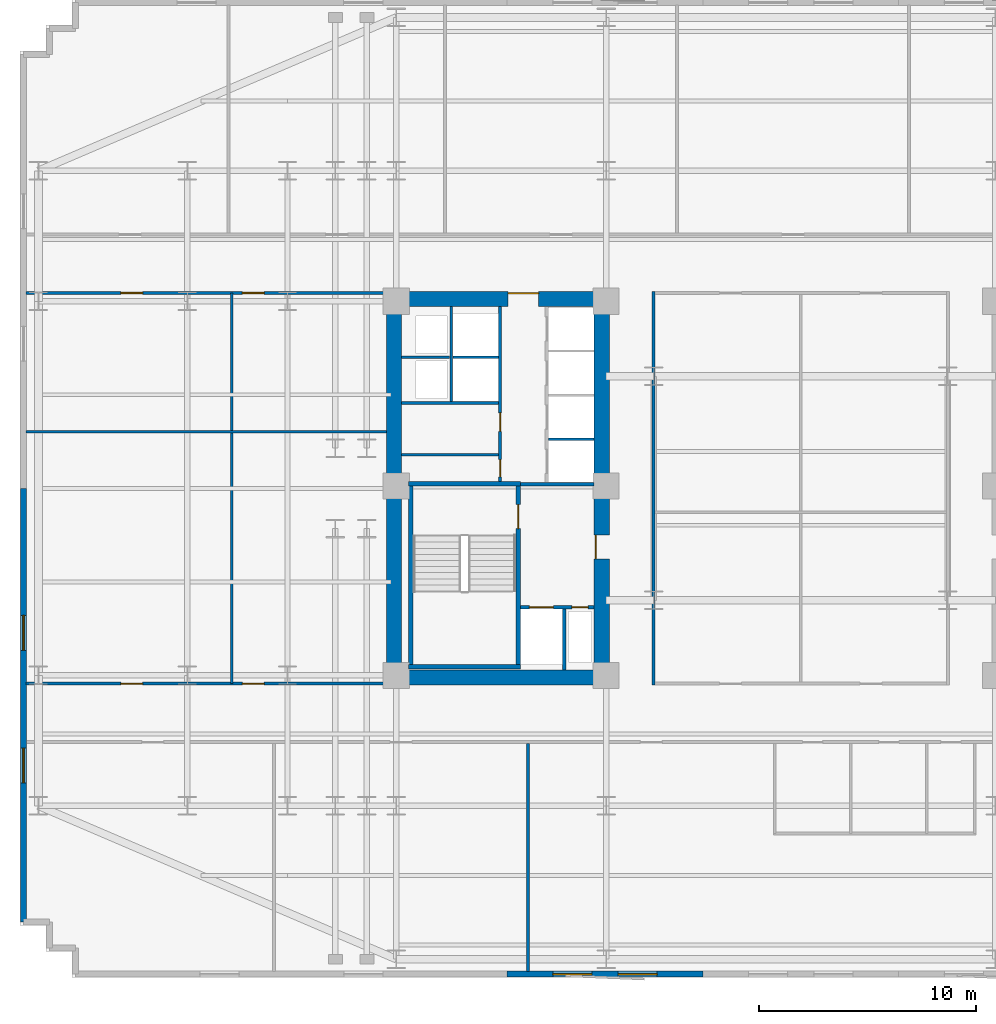
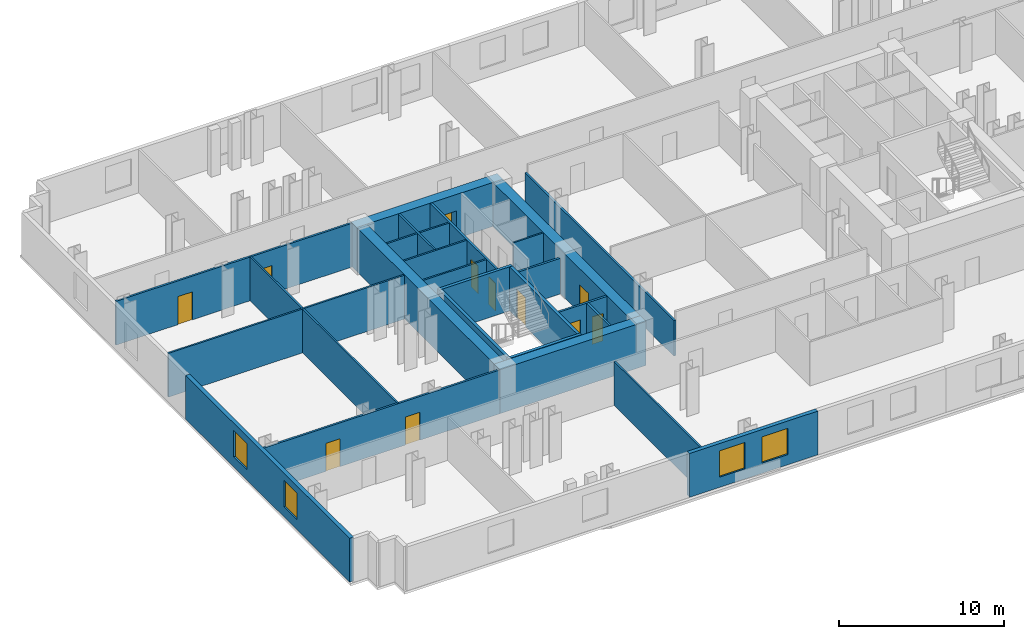
# One storey, part 4 of 10: 26 walls, 11 doors, 4 windows, 15 openings.
"""IFC4 building model written with IfcOpenShell, lengths in metres."""

import ifcopenshell
import ifcopenshell.guid

model = None  # the IFC model being written
_history = None  # IfcOwnerHistory: only IFC2X3 demands one
_inside = {}  # id of a spatial element -> (the spatial element, [elements in it])
_under = {}  # id of a project, library or spatial element -> (it, [spatial elements below it])
_declared = {}  # id of a project -> (the project, [libraries it declares])
_typed = {}  # id of a type object -> (the type object, [elements of that type])
_made_of = {}  # id of a material, layer set ... -> (it, [elements and type objects made of it])


def new_model(schema):
    """Start an empty IFC model of exactly this schema.

    Asked for "IFC4X3", IfcOpenShell would pick the latest addendum, in which some entities
    have other attributes; the version numbers below select the first issue.
    IFC2X3 requires an IfcOwnerHistory on every rooted entity: one is made here for all.
    """
    global model, _history
    if schema == "IFC4X3":
        model = ifcopenshell.file(schema_version=(4, 3, 0, 0))
    else:
        model = ifcopenshell.file(schema=schema)
    _inside.clear()
    _under.clear()
    _declared.clear()
    _typed.clear()
    _made_of.clear()
    _history = None
    if model.schema == "IFC2X3":
        org = make("IfcOrganization", Name="unknown")
        user = make(
            "IfcPersonAndOrganization",
            ThePerson=make("IfcPerson", FamilyName="unknown"),
            TheOrganization=org,
        )
        app = make(
            "IfcApplication",
            ApplicationDeveloper=org,
            Version="unknown",
            ApplicationFullName="unknown",
            ApplicationIdentifier="unknown",
        )
        _history = make(
            "IfcOwnerHistory",
            OwningUser=user,
            OwningApplication=app,
            ChangeAction="ADDED",
            CreationDate=0,
        )
    return model


def make(cls, **values):
    """One entity of the class cls with the attributes given. An attribute that is None is left unset."""
    return model.create_entity(
        cls, **{name: value for name, value in values.items() if value is not None}
    )


def rooted(cls, **values):
    """An entity with a GlobalId (a new one), such as an element, a storey or a relation."""
    return make(cls, GlobalId=ifcopenshell.guid.new(), OwnerHistory=_history, **values)


def si_unit(unit_type, name, prefix=None):
    """IfcSIUnit, for example si_unit("LENGTHUNIT", "METRE", prefix="MILLI")."""
    return make("IfcSIUnit", UnitType=unit_type, Prefix=prefix, Name=name)


def assignment(units):
    """IfcUnitAssignment: the units of a project."""
    return None if units is None else make("IfcUnitAssignment", Units=units)


def point(xyz):
    """IfcCartesianPoint."""
    return None if xyz is None else make("IfcCartesianPoint", Coordinates=xyz)


def direction(xyz):
    """IfcDirection."""
    return None if xyz is None else make("IfcDirection", DirectionRatios=xyz)


def frame(location, z_axis=None, x_axis=None):
    """IfcAxis2Placement3D, a coordinate frame: its origin and axes. An axis left out is left unset."""
    return make(
        "IfcAxis2Placement3D",
        Location=point(location),
        Axis=direction(z_axis),
        RefDirection=direction(x_axis),
    )


def frame_2d(location, x_axis=None):
    """IfcAxis2Placement2D, a coordinate frame in the plane: its origin and x axis."""
    return make(
        "IfcAxis2Placement2D", Location=point(location), RefDirection=direction(x_axis)
    )


def origin():
    """The frame at (0, 0, 0) with its axes left unset."""
    return frame((0.0, 0.0, 0.0))


def place(relative_to, where):
    """IfcLocalPlacement: puts the frame where relative to a parent placement (None: the world)."""
    return make(
        "IfcLocalPlacement", PlacementRelTo=relative_to, RelativePlacement=where
    )


def context(
    kind, dimensions, precision=None, world=None, true_north=None, identifier=None
):
    """IfcGeometricRepresentationContext, for example the 3D "Model" context."""
    return make(
        "IfcGeometricRepresentationContext",
        ContextIdentifier=identifier,
        ContextType=kind,
        CoordinateSpaceDimension=dimensions,
        Precision=precision,
        WorldCoordinateSystem=world,
        TrueNorth=true_north,
    )


def subcontext(parent, identifier, kind, view, scale=None):
    """IfcGeometricRepresentationSubContext, for example "Body" below "Model"."""
    return make(
        "IfcGeometricRepresentationSubContext",
        ContextIdentifier=identifier,
        ContextType=kind,
        ParentContext=parent,
        TargetScale=scale,
        TargetView=view,
    )


def project(units=None, contexts=None):
    """IfcProject with its units and contexts."""
    return rooted(
        "IfcProject",
        Name="project",
        RepresentationContexts=contexts,
        UnitsInContext=assignment(units),
    )


def spatial(cls, under=None, at=None, **own):
    """A site, building, storey or space (cls), placed at a placement, below another one or the project."""
    s = rooted(cls, ObjectPlacement=at, **own)
    if under is not None:
        _under.setdefault(under.id(), (under, []))[1].append(s)
    return s


def profile(cls, at=None, kind="AREA", **sizes):
    """A parametric profile (cls). Its sizes go by their IFC names, for example OverallWidth=200.0."""
    return make(cls, ProfileType=kind, Position=at, **sizes)


def rectangle(**sizes):
    """IfcRectangleProfileDef."""
    return profile("IfcRectangleProfileDef", **sizes)


def extrude(swept, where, along, depth):
    """IfcExtrudedAreaSolid: the profile swept, set in the frame where, extruded along a direction by depth."""
    return make(
        "IfcExtrudedAreaSolid",
        SweptArea=swept,
        Position=where,
        ExtrudedDirection=direction(along),
        Depth=depth,
    )


def shape(context_of_items, identifier, shape_type, items):
    """IfcShapeRepresentation: the items that make up one representation, for example the "Body"."""
    return make(
        "IfcShapeRepresentation",
        ContextOfItems=context_of_items,
        RepresentationIdentifier=identifier,
        RepresentationType=shape_type,
        Items=items,
    )


def material(Name=None, Category=None):
    """IfcMaterial."""
    return make("IfcMaterial", Name=Name, Category=Category)


def layer(
    of_material, thickness, ventilated=None, Name=None, Category=None, Priority=None
):
    """IfcMaterialLayer: one layer of a wall or slab, of a material (None: an air gap)."""
    return make(
        "IfcMaterialLayer",
        Material=of_material,
        LayerThickness=thickness,
        IsVentilated=ventilated,
        Name=Name,
        Category=Category,
        Priority=Priority,
    )


def layer_set(layers, Name=None):
    """IfcMaterialLayerSet."""
    return make("IfcMaterialLayerSet", MaterialLayers=layers, LayerSetName=Name)


def made_of(thing, what):
    """Note that an element or type object is made of a material, layer set ...; save() writes the relation."""
    if what is not None:
        _made_of.setdefault(what.id(), (what, []))[1].append(thing)
    return thing


def type_object(cls, material=None, **own):
    """A type object (cls), such as IfcWallType, which elements share."""
    return made_of(rooted(cls, **own), material)


def element(
    cls,
    number,
    at=None,
    inside=None,
    cuts=None,
    type_object=None,
    material=None,
    context=None,
    identifier="Body",
    shape_type=None,
    held_by="IfcProductDefinitionShape",
    body=None,
    shapes=None,
    **own,
):
    """One element of the class cls, such as IfcWall. Its Tag is "e" and its number.

    at: its placement. inside: the storey or other place that contains it. cuts: it is an
    opening in that element (IfcRelVoidsElement). A single representation is given by context,
    identifier, shape_type and body (its items); several are given by shapes. held_by: the class
    of the entity that holds the representations. save() writes the other relations.
    """
    e = rooted(cls, Tag="e%d" % number, ObjectPlacement=at, **own)
    if body is not None:
        shapes = [shape(context, identifier, shape_type, body)]
    if shapes is not None:
        e.Representation = make(held_by, Representations=shapes)
    if inside is not None:
        _inside.setdefault(inside.id(), (inside, []))[1].append(e)
    if cuts is not None:
        rooted(
            "IfcRelVoidsElement", RelatingBuildingElement=cuts, RelatedOpeningElement=e
        )
    if type_object is not None:
        _typed.setdefault(type_object.id(), (type_object, []))[1].append(e)
    return made_of(e, material)


def fill(opening, filler):
    """IfcRelFillsElement: the door or window that sits in an opening."""
    return rooted(
        "IfcRelFillsElement",
        RelatingOpeningElement=opening,
        RelatedBuildingElement=filler,
    )


def aggregate(whole, parts):
    """IfcRelAggregates: a whole, such as a stair, and the parts it consists of."""
    return rooted("IfcRelAggregates", RelatingObject=whole, RelatedObjects=parts)


def save(model, path):
    """Write the relations noted so far, then the file.

    IfcRelAggregates (storeys below a building ...), IfcRelContainedInSpatialStructure (elements
    in a storey), IfcRelDefinesByType, IfcRelAssociatesMaterial and IfcRelDeclares: one each for
    every whole, place, type object, material and project.
    """
    for whole, parts in _under.values():
        aggregate(whole, parts)
    for where, things in _inside.values():
        rooted(
            "IfcRelContainedInSpatialStructure",
            RelatedElements=things,
            RelatingStructure=where,
        )
    for kind, things in _typed.values():
        rooted("IfcRelDefinesByType", RelatedObjects=things, RelatingType=kind)
    for what, things in _made_of.values():
        rooted("IfcRelAssociatesMaterial", RelatedObjects=things, RelatingMaterial=what)
    for by, libraries in _declared.values():
        rooted("IfcRelDeclares", RelatingContext=by, RelatedDefinitions=libraries)
    model.write(path)


model = new_model("IFC4")

# Units and contexts
model_context = context("Model", 3, precision=1e-05, world=origin(), true_north=direction((0.0, 1.0)))
body_context = subcontext(model_context, "Body", "Model", "MODEL_VIEW")
ifc_project = project(units=[si_unit("LENGTHUNIT", "METRE"), si_unit("AREAUNIT", "SQUARE_METRE"), si_unit("VOLUMEUNIT", "CUBIC_METRE"), si_unit("PLANEANGLEUNIT", "RADIAN"), si_unit("MASSUNIT", "GRAM", prefix="KILO")], contexts=[model_context])

# Site, building, storey
site_placement = place(None, origin())
site = spatial("IfcSite", under=ifc_project, at=site_placement, CompositionType="ELEMENT")
building_placement = place(site_placement, origin())
building = spatial("IfcBuilding", under=site, at=building_placement, Name="Velakula Bourse", CompositionType="ELEMENT")
storey_placement = place(building_placement, frame((0.0, 0.0, 58.800048828125)))
storey = spatial("IfcBuildingStorey", under=building, at=storey_placement, Name="L15", CompositionType="ELEMENT", Elevation=58.800048828125)

# Wall, opening, door
ifc_material_1 = material(Name="Concrete M50 (fck 50 MPa)", Category="concrete")
ifc_layer_1 = layer(ifc_material_1, 0.2099609375, Name="Concrete M50 (fck 50 MPa)", Category="concrete")
ifc_layer_set_1 = layer_set([ifc_layer_1], Name="Concrete M50 (fck 50 MPa)")
wall_type_1 = type_object("IfcWallType", Name="WL-CORE-210", PredefinedType="SHEAR", material=ifc_layer_set_1)
wall_1_placement = place(storey_placement, frame((-12.9951171875, -8.10009765625, 0.0), z_axis=(0.0, 0.0, 1.0), x_axis=(0.0, 1.0, 0.0)))
wall_1 = element("IfcWall", 1, at=wall_1_placement, inside=storey, type_object=wall_type_1, Name="L15 Core W Stairwell Shear Wall IN", PredefinedType="SHEAR", context=body_context, shape_type="SweptSolid", body=[
    extrude(rectangle(XDim=8.2001953125, YDim=0.2099609375, at=frame_2d((4.10009765625, 0.0))), origin(), (0.0, 0.0, 1.0), 3.27001953125),
])
opening_1_placement = place(wall_1_placement, frame((6.25, 0.0, 0.0)))
opening_1 = element("IfcOpeningElement", 2, at=opening_1_placement, cuts=wall_1, Name="Opening D-STW1", PredefinedType="OPENING", context=body_context, shape_type="SweptSolid", body=[
    extrude(rectangle(XDim=1.10009765625, YDim=2.14990234375, at=frame_2d((0.550048828125, 1.074951171875))), frame((0.0, 0.114990234375, 0.0), z_axis=(0.0, -1.0, 0.0), x_axis=(1.0, 0.0, 0.0)), (0.0, 0.0, 1.0), 0.22998046875),
])
ifc_material_2 = material(Name="Galvanised painted hollow steel fire door", Category="steel")
door_type_1 = type_object("IfcDoorType", Name="DR-FD120-1100x2150", OperationType="NOTDEFINED", PredefinedType="DOOR", material=ifc_material_2)
door_1_placement = place(opening_1_placement, origin())
door_1 = element("IfcDoor", 3, at=door_1_placement, inside=storey, type_object=door_type_1, Name="L15 Stair ST-W1 Fire Door", OperationType="SINGLE_SWING_LEFT", OverallHeight=2.14990234375, OverallWidth=1.10009765625, PredefinedType="DOOR", context=body_context, shape_type="SweptSolid", body=[
    extrude(rectangle(XDim=1.10009765625, YDim=2.14990234375, at=frame_2d((0.550048828125, 1.074951171875))), frame((0.0, 0.02490234375, 0.0), z_axis=(0.0, -1.0, 0.0), x_axis=(1.0, 0.0, 0.0)), (0.0, 0.0, 1.0), 0.050048828125),
])
fill(opening_1, door_1)

# Walls
wall_2_placement = place(storey_placement, frame((-17.925048828125, -8.10009765625, 0.0), z_axis=(0.0, 0.0, 1.0), x_axis=(0.0, 1.0, 0.0)))
element("IfcWall", 4, at=wall_2_placement, inside=storey, type_object=wall_type_1, Name="L15 Core W Stairwell Shear Wall OUT", PredefinedType="SHEAR", context=body_context, shape_type="SweptSolid", body=[
    extrude(rectangle(XDim=8.2001953125, YDim=0.2099609375, at=frame_2d((4.10009765625, 0.0))), origin(), (0.0, 0.0, 1.0), 3.27001953125),
])
for number, where, z_axis, x_axis, name in (
    (5, (-18.030029296875, -8.205078125, 0.0), (0.0, 0.0, 1.0), (1.0, 0.0, 0.0), "L15 Core W Stairwell Shear Wall S"),
    (6, (-12.889892578125, 0.205078125, 0.0), (0.0, 0.0, 1.0), (-1.0, 0.0, 0.0), "L15 Core W Stairwell Shear Wall N"),
):
    element("IfcWall", number, at=place(storey_placement, frame(where, z_axis=z_axis, x_axis=x_axis)), inside=storey, type_object=wall_type_1, Name=name, PredefinedType="SHEAR", context=body_context, shape_type="SweptSolid", body=[
        extrude(rectangle(XDim=5.14013671875, YDim=0.2099609375, at=frame_2d((2.570068359375, 0.0))), origin(), (0.0, 0.0, 1.0), 3.27001953125),
    ])
ifc_material_3 = material(Name="Concrete M70 (fck 70 MPa)", Category="concrete")
ifc_layer_2 = layer(ifc_material_3, 0.699951171875, Name="Concrete M70 (fck 70 MPa)", Category="concrete")
ifc_layer_set_2 = layer_set([ifc_layer_2], Name="Concrete M70 (fck 70 MPa)")
wall_type_2 = type_object("IfcWallType", Name="WL-CORE-700", PredefinedType="SHEAR", material=ifc_layer_set_2)
wall_3_placement = place(storey_placement, frame((-19.050048828125, -8.699951171875, 0.0), z_axis=(0.0, 0.0, 1.0), x_axis=(1.0, 0.0, 0.0)))
element("IfcWall", 7, at=wall_3_placement, inside=storey, type_object=wall_type_2, Name="L15 Core W Shear Wall S", PredefinedType="SHEAR", context=body_context, shape_type="SweptSolid", body=[
    extrude(rectangle(XDim=10.25, YDim=0.699951171875, at=frame_2d((5.125, 0.0))), origin(), (0.0, 0.0, 1.0), 3.27001953125),
])

# Wall, opening, door
wall_4_placement = place(storey_placement, frame((-19.050048828125, 8.699951171875, 0.0), z_axis=(0.0, 0.0, 1.0), x_axis=(1.0, 0.0, 0.0)))
wall_4 = element("IfcWall", 8, at=wall_4_placement, inside=storey, type_object=wall_type_2, Name="L15 Core W Shear Wall N", PredefinedType="SHEAR", context=body_context, shape_type="SweptSolid", body=[
    extrude(rectangle(XDim=10.25, YDim=0.699951171875, at=frame_2d((5.125, 0.0))), origin(), (0.0, 0.0, 1.0), 3.27001953125),
])
opening_2_placement = place(wall_4_placement, frame((5.60009765625, 0.0, 0.0)))
opening_2 = element("IfcOpeningElement", 9, at=opening_2_placement, cuts=wall_4, Name="Opening D-LLW", PredefinedType="OPENING", context=body_context, shape_type="SweptSolid", body=[
    extrude(rectangle(XDim=1.39990234375, YDim=2.050048828125, at=frame_2d((0.699951171875, 1.02490234375))), frame((0.0, 0.35986328125, 0.0), z_axis=(0.0, -1.0, 0.0), x_axis=(1.0, 0.0, 0.0)), (0.0, 0.0, 1.0), 0.719970703125),
])
ifc_material_4 = material(Name="Fire-rated hardwood flush architectural door", Category="wood")
door_type_2 = type_object("IfcDoorType", Name="DR-DBL-FD60-1400", OperationType="DOUBLE_DOOR_SINGLE_SWING", PredefinedType="DOOR", material=ifc_material_4)
door_2_placement = place(opening_2_placement, origin())
door_2 = element("IfcDoor", 10, at=door_2_placement, inside=storey, type_object=door_type_2, Name="L15 Core W Lift Lobby Corridor Double Door", OperationType="DOUBLE_DOOR_SINGLE_SWING", OverallHeight=2.050048828125, OverallWidth=1.39990234375, PredefinedType="DOOR", context=body_context, shape_type="SweptSolid", body=[
    extrude(rectangle(XDim=1.39990234375, YDim=2.050048828125, at=frame_2d((0.699951171875, 1.02490234375))), frame((0.0, 0.294921875, 0.0), z_axis=(0.0, -1.0, 0.0), x_axis=(1.0, 0.0, 0.0)), (0.0, 0.0, 1.0), 0.050048828125),
])
fill(opening_2, door_2)

# Wall
wall_5_placement = place(storey_placement, frame((-18.699951171875, -8.35009765625, 0.0), z_axis=(0.0, 0.0, 1.0), x_axis=(0.0, 1.0, 0.0)))
element("IfcWall", 11, at=wall_5_placement, inside=storey, type_object=wall_type_2, Name="L15 Core W Shear Wall W", PredefinedType="SHEAR", context=body_context, shape_type="SweptSolid", body=[
    extrude(rectangle(XDim=16.7001953125, YDim=0.699951171875, at=frame_2d((8.35009765625, 0.0))), origin(), (0.0, 0.0, 1.0), 3.27001953125),
])

# Wall, opening, door
wall_6_placement = place(storey_placement, frame((-9.14990234375, -8.35009765625, 0.0), z_axis=(0.0, 0.0, 1.0), x_axis=(0.0, 1.0, 0.0)))
wall_6 = element("IfcWall", 12, at=wall_6_placement, inside=storey, type_object=wall_type_2, Name="L15 Core W Shear Wall E", PredefinedType="SHEAR", context=body_context, shape_type="SweptSolid", body=[
    extrude(rectangle(XDim=16.7001953125, YDim=0.699951171875, at=frame_2d((8.35009765625, 0.0))), origin(), (0.0, 0.0, 1.0), 3.27001953125),
])
opening_3_placement = place(wall_6_placement, frame((5.10009765625, 0.0, 0.0)))
opening_3 = element("IfcOpeningElement", 13, at=opening_3_placement, cuts=wall_6, Name="Opening D-FLW", PredefinedType="OPENING", context=body_context, shape_type="SweptSolid", body=[
    extrude(rectangle(XDim=1.10009765625, YDim=2.080078125, at=frame_2d((0.550048828125, 1.0400390625))), frame((0.0, 0.35986328125, 0.0), z_axis=(0.0, -1.0, 0.0), x_axis=(1.0, 0.0, 0.0)), (0.0, 0.0, 1.0), 0.719970703125),
])
door_type_3 = type_object("IfcDoorType", Name="DR-FD120-1100", OperationType="NOTDEFINED", PredefinedType="DOOR", material=ifc_material_2)
door_3_placement = place(opening_3_placement, origin())
door_3 = element("IfcDoor", 14, at=door_3_placement, inside=storey, type_object=door_type_3, Name="L15 Firefighting Lobby W Corridor Fire Door", OperationType="SINGLE_SWING_LEFT", OverallHeight=2.080078125, OverallWidth=1.10009765625, PredefinedType="DOOR", context=body_context, shape_type="SweptSolid", body=[
    extrude(rectangle(XDim=1.10009765625, YDim=2.080078125, at=frame_2d((0.550048828125, 1.0400390625))), frame((0.0, 0.30517578125, 0.0), z_axis=(0.0, -1.0, 0.0), x_axis=(1.0, 0.0, 0.0)), (0.0, 0.0, 1.0), 0.050048828125),
])
fill(opening_3, door_3)

# Wall, openings, windows
ifc_material_5 = material(Name="Red kilned clay facing brick masonry", Category="masonry")
ifc_layer_3 = layer(ifc_material_5, 0.280029296875, Name="Red kilned clay facing brick masonry", Category="masonry")
ifc_layer_set_3 = layer_set([ifc_layer_3], Name="Red kilned clay facing brick masonry")
wall_type_3 = type_object("IfcWallType", Name="WL-EXT-BRK-280", PredefinedType="STANDARD", material=ifc_layer_set_3)
wall_7_placement = place(storey_placement, frame((-4.5, -22.340087890625, 0.0), z_axis=(0.0, 0.0, 1.0), x_axis=(-1.0, 0.0, 0.0)))
wall_7 = element("IfcWall", 15, at=wall_7_placement, inside=storey, type_object=wall_type_3, Name="L15 S Brick Spandrel Wall B2", PredefinedType="STANDARD", context=body_context, shape_type="SweptSolid", body=[
    extrude(rectangle(XDim=9.0, YDim=0.280029296875, at=frame_2d((4.5, 0.0))), origin(), (0.0, 0.0, 1.0), 3.25),
])
opening_4_placement = place(wall_7_placement, frame((2.10009765625, 0.0, 0.760009765625)))
opening_4 = element("IfcOpeningElement", 16, at=opening_4_placement, cuts=wall_7, Name="Opening W-01", PredefinedType="OPENING", context=body_context, shape_type="SweptSolid", body=[
    extrude(rectangle(XDim=1.800048828125, YDim=1.949951171875, at=frame_2d((0.89990234375, 0.97509765625))), frame((0.0, 0.14990234375, 0.0), z_axis=(0.0, -1.0, 0.0), x_axis=(1.0, 0.0, 0.0)), (0.0, 0.0, 1.0), 0.300048828125),
])
opening_5_placement = place(wall_7_placement, frame((5.10009765625, 0.0, 0.760009765625)))
opening_5 = element("IfcOpeningElement", 17, at=opening_5_placement, cuts=wall_7, Name="Opening W-01", PredefinedType="OPENING", context=body_context, shape_type="SweptSolid", body=[
    extrude(rectangle(XDim=1.800048828125, YDim=1.949951171875, at=frame_2d((0.89990234375, 0.97509765625))), frame((0.0, 0.14990234375, 0.0), z_axis=(0.0, -1.0, 0.0), x_axis=(1.0, 0.0, 0.0)), (0.0, 0.0, 1.0), 0.300048828125),
])
ifc_material_6 = material(Name="Double-glazed solar-control Low-E glass", Category="glass")
window_type_1 = type_object("IfcWindowType", Name="WIN-TWR-1800x2100", PartitioningType="SINGLE_PANEL", PredefinedType="WINDOW", material=ifc_material_6)
window_1_placement = place(opening_4_placement, origin())
window_1 = element("IfcWindow", 18, at=window_1_placement, inside=storey, type_object=window_type_1, Name="L15 Deep-Set Recessed Window 1", OverallHeight=1.949951171875, OverallWidth=1.800048828125, PartitioningType="SINGLE_PANEL", PredefinedType="WINDOW", context=body_context, shape_type="SweptSolid", body=[
    extrude(rectangle(XDim=1.800048828125, YDim=1.949951171875, at=frame_2d((0.89990234375, 0.97509765625))), frame((0.0, 0.030029296875, 0.0), z_axis=(0.0, -1.0, 0.0), x_axis=(1.0, 0.0, 0.0)), (0.0, 0.0, 1.0), 0.06005859375),
])
fill(opening_4, window_1)
window_2_placement = place(opening_5_placement, origin())
window_2 = element("IfcWindow", 19, at=window_2_placement, inside=storey, type_object=window_type_1, Name="L15 Deep-Set Recessed Window 2", OverallHeight=1.949951171875, OverallWidth=1.800048828125, PartitioningType="SINGLE_PANEL", PredefinedType="WINDOW", context=body_context, shape_type="SweptSolid", body=[
    extrude(rectangle(XDim=1.800048828125, YDim=1.949951171875, at=frame_2d((0.89990234375, 0.97509765625))), frame((0.0, 0.030029296875, 0.0), z_axis=(0.0, -1.0, 0.0), x_axis=(1.0, 0.0, 0.0)), (0.0, 0.0, 1.0), 0.06005859375),
])
fill(opening_5, window_2)

wall_8_placement = place(storey_placement, frame((-35.739990234375, -19.93994140625, 0.0), z_axis=(0.0, 0.0, 1.0), x_axis=(0.0, 1.0, 0.0)))
wall_8 = element("IfcWall", 20, at=wall_8_placement, inside=storey, type_object=wall_type_3, Name="L15 W Brick End Wall W1", PredefinedType="STANDARD", context=body_context, shape_type="SweptSolid", body=[
    extrude(rectangle(XDim=19.93994140625, YDim=0.280029296875, at=frame_2d((9.969970703125, 0.0))), origin(), (0.0, 0.0, 1.0), 3.25),
])
opening_6_placement = place(wall_8_placement, frame((6.396728515625, 0.0, 0.760009765625)))
opening_6 = element("IfcOpeningElement", 21, at=opening_6_placement, cuts=wall_8, Name="Opening W-02", PredefinedType="OPENING", context=body_context, shape_type="SweptSolid", body=[
    extrude(rectangle(XDim=1.60009765625, YDim=1.949951171875, at=frame_2d((0.800048828125, 0.97509765625))), frame((0.0, 0.14990234375, 0.0), z_axis=(0.0, -1.0, 0.0), x_axis=(1.0, 0.0, 0.0)), (0.0, 0.0, 1.0), 0.300048828125),
])
opening_7_placement = place(wall_8_placement, frame((12.493408203125, 0.0, 0.760009765625)))
opening_7 = element("IfcOpeningElement", 22, at=opening_7_placement, cuts=wall_8, Name="Opening W-02", PredefinedType="OPENING", context=body_context, shape_type="SweptSolid", body=[
    extrude(rectangle(XDim=1.60009765625, YDim=1.949951171875, at=frame_2d((0.800048828125, 0.97509765625))), frame((0.0, 0.14990234375, 0.0), z_axis=(0.0, -1.0, 0.0), x_axis=(1.0, 0.0, 0.0)), (0.0, 0.0, 1.0), 0.300048828125),
])
window_type_2 = type_object("IfcWindowType", Name="WIN-TWR-1600x2100", PartitioningType="SINGLE_PANEL", PredefinedType="WINDOW", material=ifc_material_6)
window_3_placement = place(opening_6_placement, origin())
window_3 = element("IfcWindow", 23, at=window_3_placement, inside=storey, type_object=window_type_2, Name="L15 Deep-Set Recessed Window 1", OverallHeight=1.949951171875, OverallWidth=1.60009765625, PartitioningType="SINGLE_PANEL", PredefinedType="WINDOW", context=body_context, shape_type="SweptSolid", body=[
    extrude(rectangle(XDim=1.60009765625, YDim=1.949951171875, at=frame_2d((0.800048828125, 0.97509765625))), frame((0.0, 0.030029296875, 0.0), z_axis=(0.0, -1.0, 0.0), x_axis=(1.0, 0.0, 0.0)), (0.0, 0.0, 1.0), 0.06005859375),
])
fill(opening_6, window_3)
window_4_placement = place(opening_7_placement, origin())
window_4 = element("IfcWindow", 24, at=window_4_placement, inside=storey, type_object=window_type_2, Name="L15 Deep-Set Recessed Window 2", OverallHeight=1.949951171875, OverallWidth=1.60009765625, PartitioningType="SINGLE_PANEL", PredefinedType="WINDOW", context=body_context, shape_type="SweptSolid", body=[
    extrude(rectangle(XDim=1.60009765625, YDim=1.949951171875, at=frame_2d((0.800048828125, 0.97509765625))), frame((0.0, 0.030029296875, 0.0), z_axis=(0.0, -1.0, 0.0), x_axis=(1.0, 0.0, 0.0)), (0.0, 0.0, 1.0), 0.06005859375),
])
fill(opening_7, window_4)

# Walls
ifc_material_7 = material(Name="Fire-rated double-layer gypsum drywall partition", Category="gypsum")
ifc_layer_4 = layer(ifc_material_7, 0.1201171875, Name="Fire-rated double-layer gypsum drywall partition", Category="gypsum")
ifc_layer_set_4 = layer_set([ifc_layer_4], Name="Fire-rated double-layer gypsum drywall partition")
wall_type_4 = type_object("IfcWallType", Name="WL-PART-120", PredefinedType="STANDARD", material=ifc_layer_set_4)
wall_9_placement = place(storey_placement, frame((-11.60009765625, 2.2548828125, 0.0), z_axis=(0.0, 0.0, 1.0), x_axis=(1.0, 0.0, 0.0)))
element("IfcWall", 25, at=wall_9_placement, inside=storey, type_object=wall_type_4, Name="L15 Interior Partition WL-CRW-L15-BDIV-0", PredefinedType="STANDARD", context=body_context, shape_type="SweptSolid", body=[
    extrude(rectangle(XDim=2.10009765625, YDim=0.110107421875, at=frame_2d((1.050048828125, 0.0))), origin(), (0.0, 0.0, 1.0), 3.25),
])
wall_10_placement = place(storey_placement, frame((-18.35009765625, 3.919921875, 0.0), z_axis=(0.0, 0.0, 1.0), x_axis=(1.0, 0.0, 0.0)))
element("IfcWall", 26, at=wall_10_placement, inside=storey, type_object=wall_type_4, Name="L15 Interior Partition WL-CRW-L15-HI-S", PredefinedType="STANDARD", context=body_context, shape_type="SweptSolid", body=[
    extrude(rectangle(XDim=4.4501953125, YDim=0.1201171875, at=frame_2d((2.22509765625, 0.0))), origin(), (0.0, 0.0, 1.0), 3.25),
])
wall_11_placement = place(storey_placement, frame((-18.35009765625, 6.030029296875, 0.0), z_axis=(0.0, 0.0, 1.0), x_axis=(1.0, 0.0, 0.0)))
element("IfcWall", 27, at=wall_11_placement, inside=storey, type_object=wall_type_4, Name="L15 Interior Partition WL-CRW-L15-RIS-MID", PredefinedType="STANDARD", context=body_context, shape_type="SweptSolid", body=[
    extrude(rectangle(XDim=2.2001953125, YDim=0.1201171875, at=frame_2d((1.10009765625, 0.0))), origin(), (0.0, 0.0, 1.0), 3.25),
])
wall_12_placement = place(storey_placement, frame((-16.074951171875, 3.97998046875, 0.0), z_axis=(0.0, 0.0, 1.0), x_axis=(0.0, 1.0, 0.0)))
element("IfcWall", 28, at=wall_12_placement, inside=storey, type_object=wall_type_4, Name="L15 Interior Partition WL-CRW-L15-RIS-F", PredefinedType="STANDARD", context=body_context, shape_type="SweptSolid", body=[
    extrude(rectangle(XDim=4.3701171875, YDim=0.1201171875, at=frame_2d((2.18505859375, 0.0))), origin(), (0.0, 0.0, 1.0), 3.25),
])
wall_13_placement = place(storey_placement, frame((-16.0, 6.030029296875, 0.0), z_axis=(0.0, 0.0, 1.0), x_axis=(1.0, 0.0, 0.0)))
element("IfcWall", 29, at=wall_13_placement, inside=storey, type_object=wall_type_4, Name="L15 Interior Partition WL-CRW-L15-HI-DIV", PredefinedType="STANDARD", context=body_context, shape_type="SweptSolid", body=[
    extrude(rectangle(XDim=2.10009765625, YDim=0.1201171875, at=frame_2d((1.050048828125, 0.0))), origin(), (0.0, 0.0, 1.0), 3.25),
])
wall_14_placement = place(storey_placement, frame((-18.35009765625, 1.550048828125, 0.0), z_axis=(0.0, 0.0, 1.0), x_axis=(1.0, 0.0, 0.0)))
element("IfcWall", 30, at=wall_14_placement, inside=storey, type_object=wall_type_4, Name="L15 Interior Partition WL-CRW-L15-K1", PredefinedType="STANDARD", context=body_context, shape_type="SweptSolid", body=[
    extrude(rectangle(XDim=4.4501953125, YDim=0.1201171875, at=frame_2d((2.22509765625, 0.0))), origin(), (0.0, 0.0, 1.0), 3.25),
])
wall_15_placement = place(storey_placement, frame((-12.5390625, -22.219970703125, 0.0), z_axis=(0.0, 0.0, 1.0), x_axis=(0.0, 1.0, 0.0)))
element("IfcWall", 31, at=wall_15_placement, inside=storey, type_object=wall_type_4, Name="L15 Interior Partition WL-INT-L15-SL-D6", PredefinedType="STANDARD", context=body_context, shape_type="SweptSolid", body=[
    extrude(rectangle(XDim=10.47998046875, YDim=0.1201171875, at=frame_2d((5.239990234375, 0.0))), origin(), (0.0, 0.0, 1.0), 3.25),
])
wall_16_placement = place(storey_placement, frame((-35.6201171875, 2.60009765625, 0.0), z_axis=(0.0, 0.0, 1.0), x_axis=(1.0, 0.0, 0.0)))
element("IfcWall", 32, at=wall_16_placement, inside=storey, type_object=wall_type_4, Name="L15 Interior Partition WL-INT-L15-W-H", PredefinedType="STANDARD", context=body_context, shape_type="SweptSolid", body=[
    extrude(rectangle(XDim=16.570068359375, YDim=0.1201171875, at=frame_2d((8.28515625, 0.0))), origin(), (0.0, 0.0, 1.0), 3.25),
])
wall_17_placement = place(storey_placement, frame((-26.155029296875, -8.97998046875, 0.0), z_axis=(0.0, 0.0, 1.0), x_axis=(0.0, 1.0, 0.0)))
element("IfcWall", 33, at=wall_17_placement, inside=storey, type_object=wall_type_4, Name="L15 Interior Partition WL-INT-L15-W-V1", PredefinedType="STANDARD", context=body_context, shape_type="SweptSolid", body=[
    extrude(rectangle(XDim=17.9599609375, YDim=0.1201171875, at=frame_2d((8.97998046875, 0.0))), origin(), (0.0, 0.0, 1.0), 3.25),
])

# Wall, openings, doors
ifc_layer_5 = layer(ifc_material_7, 0.139892578125, Name="Fire-rated double-layer gypsum drywall partition", Category="gypsum")
ifc_layer_set_5 = layer_set([ifc_layer_5], Name="Fire-rated double-layer gypsum drywall partition")
wall_type_5 = type_object("IfcWallType", Name="WL-PART-140", PredefinedType="STANDARD", material=ifc_layer_set_5)
wall_18_placement = place(storey_placement, frame((-35.6201171875, 8.97998046875, 0.0), z_axis=(0.0, 0.0, 1.0), x_axis=(1.0, 0.0, 0.0)))
wall_18 = element("IfcWall", 34, at=wall_18_placement, inside=storey, type_object=wall_type_5, Name="L15 Interior Partition WL-INT-L15-W-NC", PredefinedType="STANDARD", context=body_context, shape_type="SweptSolid", body=[
    extrude(rectangle(XDim=16.570068359375, YDim=0.139892578125, at=frame_2d((8.28515625, 0.0))), origin(), (0.0, 0.0, 1.0), 3.25),
])
opening_8_placement = place(wall_18_placement, frame((4.362548828125, 0.0, 0.0)))
opening_8 = element("IfcOpeningElement", 35, at=opening_8_placement, cuts=wall_18, Name="Opening D-OF1", PredefinedType="OPENING", context=body_context, shape_type="SweptSolid", body=[
    extrude(rectangle(XDim=1.0, YDim=2.080078125, at=frame_2d((0.5, 1.0400390625))), frame((0.0, 0.079833984375, 0.0), z_axis=(0.0, -1.0, 0.0), x_axis=(1.0, 0.0, 0.0)), (0.0, 0.0, 1.0), 0.159912109375),
])
opening_9_placement = place(wall_18_placement, frame((9.94921875, 0.0, 0.0)))
opening_9 = element("IfcOpeningElement", 36, at=opening_9_placement, cuts=wall_18, Name="Opening D-OF1", PredefinedType="OPENING", context=body_context, shape_type="SweptSolid", body=[
    extrude(rectangle(XDim=1.0, YDim=2.080078125, at=frame_2d((0.5, 1.0400390625))), frame((0.0, 0.079833984375, 0.0), z_axis=(0.0, -1.0, 0.0), x_axis=(1.0, 0.0, 0.0)), (0.0, 0.0, 1.0), 0.159912109375),
])
door_type_4 = type_object("IfcDoorType", Name="DR-OFF-1000", OperationType="NOTDEFINED", PredefinedType="DOOR", material=ifc_material_4)
door_4_placement = place(opening_8_placement, origin())
door_4 = element("IfcDoor", 37, at=door_4_placement, inside=storey, type_object=door_type_4, Name="L15 Chief Risk Officer Chamber Door", OperationType="SINGLE_SWING_LEFT", OverallHeight=2.080078125, OverallWidth=1.0, PredefinedType="DOOR", context=body_context, shape_type="SweptSolid", body=[
    extrude(rectangle(XDim=1.0, YDim=2.080078125, at=frame_2d((0.5, 1.0400390625))), frame((0.0, 0.02490234375, 0.0), z_axis=(0.0, -1.0, 0.0), x_axis=(1.0, 0.0, 0.0)), (0.0, 0.0, 1.0), 0.050048828125),
])
fill(opening_8, door_4)
door_5_placement = place(opening_9_placement, origin())
door_5 = element("IfcDoor", 38, at=door_5_placement, inside=storey, type_object=door_type_4, Name="L15 Disciplinary Hearing Room Door", OperationType="SINGLE_SWING_RIGHT", OverallHeight=2.080078125, OverallWidth=1.0, PredefinedType="DOOR", context=body_context, shape_type="SweptSolid", body=[
    extrude(rectangle(XDim=1.0, YDim=2.080078125, at=frame_2d((0.5, 1.0400390625))), frame((0.0, 0.02490234375, 0.0), z_axis=(0.0, -1.0, 0.0), x_axis=(1.0, 0.0, 0.0)), (0.0, 0.0, 1.0), 0.050048828125),
])
fill(opening_9, door_5)

wall_19_placement = place(storey_placement, frame((-35.6201171875, -8.97998046875, 0.0), z_axis=(0.0, 0.0, 1.0), x_axis=(1.0, 0.0, 0.0)))
wall_19 = element("IfcWall", 39, at=wall_19_placement, inside=storey, type_object=wall_type_5, Name="L15 Interior Partition WL-INT-L15-W-SC", PredefinedType="STANDARD", context=body_context, shape_type="SweptSolid", body=[
    extrude(rectangle(XDim=16.570068359375, YDim=0.139892578125, at=frame_2d((8.28515625, 0.0))), origin(), (0.0, 0.0, 1.0), 3.25),
])
opening_10_placement = place(wall_19_placement, frame((4.362548828125, 0.0, 0.0)))
opening_10 = element("IfcOpeningElement", 40, at=opening_10_placement, cuts=wall_19, Name="Opening D-OF1", PredefinedType="OPENING", context=body_context, shape_type="SweptSolid", body=[
    extrude(rectangle(XDim=1.0, YDim=2.080078125, at=frame_2d((0.5, 1.0400390625))), frame((0.0, 0.079833984375, 0.0), z_axis=(0.0, -1.0, 0.0), x_axis=(1.0, 0.0, 0.0)), (0.0, 0.0, 1.0), 0.159912109375),
])
opening_11_placement = place(wall_19_placement, frame((9.94921875, 0.0, 0.0)))
opening_11 = element("IfcOpeningElement", 41, at=opening_11_placement, cuts=wall_19, Name="Opening D-OF1", PredefinedType="OPENING", context=body_context, shape_type="SweptSolid", body=[
    extrude(rectangle(XDim=1.0, YDim=2.080078125, at=frame_2d((0.5, 1.0400390625))), frame((0.0, 0.079833984375, 0.0), z_axis=(0.0, -1.0, 0.0), x_axis=(1.0, 0.0, 0.0)), (0.0, 0.0, 1.0), 0.159912109375),
])
door_6_placement = place(opening_10_placement, origin())
door_6 = element("IfcDoor", 42, at=door_6_placement, inside=storey, type_object=door_type_4, Name="L15 Chief Risk Officer Chamber Door", OperationType="SINGLE_SWING_LEFT", OverallHeight=2.080078125, OverallWidth=1.0, PredefinedType="DOOR", context=body_context, shape_type="SweptSolid", body=[
    extrude(rectangle(XDim=1.0, YDim=2.080078125, at=frame_2d((0.5, 1.0400390625))), frame((0.0, 0.02490234375, 0.0), z_axis=(0.0, -1.0, 0.0), x_axis=(1.0, 0.0, 0.0)), (0.0, 0.0, 1.0), 0.050048828125),
])
fill(opening_10, door_6)
door_7_placement = place(opening_11_placement, origin())
door_7 = element("IfcDoor", 43, at=door_7_placement, inside=storey, type_object=door_type_4, Name="L15 Disciplinary Hearing Room Door", OperationType="SINGLE_SWING_RIGHT", OverallHeight=2.080078125, OverallWidth=1.0, PredefinedType="DOOR", context=body_context, shape_type="SweptSolid", body=[
    extrude(rectangle(XDim=1.0, YDim=2.080078125, at=frame_2d((0.5, 1.0400390625))), frame((0.0, 0.02490234375, 0.0), z_axis=(0.0, -1.0, 0.0), x_axis=(1.0, 0.0, 0.0)), (0.0, 0.0, 1.0), 0.050048828125),
])
fill(opening_11, door_7)

# Wall
wall_20_placement = place(storey_placement, frame((-6.780029296875, -9.050048828125, 0.0), z_axis=(0.0, 0.0, 1.0), x_axis=(0.0, 1.0, 0.0)))
element("IfcWall", 44, at=wall_20_placement, inside=storey, type_object=wall_type_5, Name="L15 Interior Partition WL-INT-L15-MID-W", PredefinedType="STANDARD", context=body_context, shape_type="SweptSolid", body=[
    extrude(rectangle(XDim=18.10009765625, YDim=0.139892578125, at=frame_2d((9.050048828125, 0.0))), origin(), (0.0, 0.0, 1.0), 2.64501953125),
])

# Wall, openings, doors
ifc_material_8 = material(Name="Autoclaved aerated concrete blockwork masonry", Category="masonry")
ifc_layer_6 = layer(ifc_material_8, 0.14990234375, Name="Autoclaved aerated concrete blockwork masonry", Category="masonry")
ifc_layer_set_6 = layer_set([ifc_layer_6], Name="Autoclaved aerated concrete blockwork masonry")
wall_type_6 = type_object("IfcWallType", Name="WL-SHAFT-150", PredefinedType="STANDARD", material=ifc_layer_set_6)
wall_21_placement = place(storey_placement, frame((-12.89501953125, -5.47509765625, 0.0), z_axis=(0.0, 0.0, 1.0), x_axis=(1.0, 0.0, 0.0)))
wall_21 = element("IfcWall", 45, at=wall_21_placement, inside=storey, type_object=wall_type_6, Name="L15 Interior Partition WL-CRW-L15-FFL-N", PredefinedType="STANDARD", context=body_context, shape_type="SweptSolid", body=[
    extrude(rectangle(XDim=3.39501953125, YDim=0.14990234375, at=frame_2d((1.697509765625, 0.0))), origin(), (0.0, 0.0, 1.0), 3.25),
])
opening_12_placement = place(wall_21_placement, frame((0.419921875, 0.0, 0.0)))
opening_12 = element("IfcOpeningElement", 46, at=opening_12_placement, cuts=wall_21, Name="Opening LD-FFL-1", PredefinedType="OPENING", context=body_context, shape_type="SweptSolid", body=[
    extrude(rectangle(XDim=1.10009765625, YDim=2.14990234375, at=frame_2d((0.550048828125, 1.074951171875))), frame((0.0, 0.0849609375, 0.0), z_axis=(0.0, -1.0, 0.0), x_axis=(1.0, 0.0, 0.0)), (0.0, 0.0, 1.0), 0.169921875),
])
opening_13_placement = place(wall_21_placement, frame((2.3701171875, 0.0, 0.0)))
opening_13 = element("IfcOpeningElement", 47, at=opening_13_placement, cuts=wall_21, Name="Opening D-RS1", PredefinedType="OPENING", context=body_context, shape_type="SweptSolid", body=[
    extrude(rectangle(XDim=0.75, YDim=2.050048828125, at=frame_2d((0.375, 1.02490234375))), frame((0.0, 0.0849609375, 0.0), z_axis=(0.0, -1.0, 0.0), x_axis=(1.0, 0.0, 0.0)), (0.0, 0.0, 1.0), 0.169921875),
])
door_type_5 = type_object("IfcDoorType", Name="DR-RISER-800", OperationType="NOTDEFINED", PredefinedType="DOOR", material=ifc_material_2)
door_8_placement = place(opening_13_placement, origin())
door_8 = element("IfcDoor", 48, at=door_8_placement, inside=storey, type_object=door_type_5, Name="L15 Fire Riser Access Door", OperationType="SINGLE_SWING_LEFT", OverallHeight=2.050048828125, OverallWidth=0.75, PredefinedType="DOOR", context=body_context, shape_type="SweptSolid", body=[
    extrude(rectangle(XDim=0.75, YDim=2.050048828125, at=frame_2d((0.375, 1.02490234375))), frame((0.0, 0.02490234375, 0.0), z_axis=(0.0, -1.0, 0.0), x_axis=(1.0, 0.0, 0.0)), (0.0, 0.0, 1.0), 0.050048828125),
])
fill(opening_13, door_8)
ifc_material_9 = material(Name="Brushed grade 316 stainless steel", Category="steel")
door_type_6 = type_object("IfcDoorType", Name="DR-SLIDE-FFL-1100", OperationType="DOUBLE_DOOR_SLIDING", PredefinedType="DOOR", material=ifc_material_9)
door_9_placement = place(opening_12_placement, origin())
door_9 = element("IfcDoor", 49, at=door_9_placement, inside=storey, type_object=door_type_6, Name="L15 Firefighting Lift FFL-1 Sliding Landing Door", OperationType="DOUBLE_DOOR_SLIDING", OverallHeight=2.14990234375, OverallWidth=1.10009765625, PredefinedType="DOOR", context=body_context, shape_type="SweptSolid", body=[
    extrude(rectangle(XDim=1.10009765625, YDim=2.14990234375, at=frame_2d((0.550048828125, 1.074951171875))), frame((0.0, 0.02490234375, 0.0), z_axis=(0.0, -1.0, 0.0), x_axis=(1.0, 0.0, 0.0)), (0.0, 0.0, 1.0), 0.050048828125),
])
fill(opening_12, door_9)

# Walls
wall_22_placement = place(storey_placement, frame((-10.875, -8.35009765625, 0.0), z_axis=(0.0, 0.0, 1.0), x_axis=(0.0, 1.0, 0.0)))
element("IfcWall", 50, at=wall_22_placement, inside=storey, type_object=wall_type_6, Name="L15 Interior Partition WL-CRW-L15-FR-DIV", PredefinedType="STANDARD", context=body_context, shape_type="SweptSolid", body=[
    extrude(rectangle(XDim=2.800048828125, YDim=0.14990234375, at=frame_2d((1.39990234375, 0.0))), origin(), (0.0, 0.0, 1.0), 3.25),
])
wall_23_placement = place(storey_placement, frame((-12.889892578125, 0.18994140625, 0.0), z_axis=(0.0, 0.0, 1.0), x_axis=(1.0, 0.0, 0.0)))
element("IfcWall", 51, at=wall_23_placement, inside=storey, type_object=wall_type_6, Name="L15 Interior Partition WL-CRW-L15-FF-TOP", PredefinedType="STANDARD", context=body_context, shape_type="SweptSolid", body=[
    extrude(rectangle(XDim=3.389892578125, YDim=0.14990234375, at=frame_2d((1.69482421875, 0.0))), origin(), (0.0, 0.0, 1.0), 2.64501953125),
])

# Wall, openings, doors
wall_24_placement = place(storey_placement, frame((-13.824951171875, 0.27001953125, 0.0), z_axis=(0.0, 0.0, 1.0), x_axis=(0.0, 1.0, 0.0)))
wall_24 = element("IfcWall", 52, at=wall_24_placement, inside=storey, type_object=wall_type_6, Name="L15 Interior Partition WL-CRW-L15-OUT-F", PredefinedType="STANDARD", context=body_context, shape_type="SweptSolid", body=[
    extrude(rectangle(XDim=8.080078125, YDim=0.14990234375, at=frame_2d((4.0400390625, 0.0))), origin(), (0.0, 0.0, 1.0), 3.25),
])
opening_14_placement = place(wall_24_placement, frame((0.25, 0.0, 0.0)))
opening_14 = element("IfcOpeningElement", 53, at=opening_14_placement, cuts=wall_24, Name="Opening D-CS1", PredefinedType="OPENING", context=body_context, shape_type="SweptSolid", body=[
    extrude(rectangle(XDim=0.800048828125, YDim=2.050048828125, at=frame_2d((0.39990234375, 1.02490234375))), frame((0.0, 0.0849609375, 0.0), z_axis=(0.0, -1.0, 0.0), x_axis=(1.0, 0.0, 0.0)), (0.0, 0.0, 1.0), 0.169921875),
])
opening_15_placement = place(wall_24_placement, frame((2.35009765625, 0.0, 0.0)))
opening_15 = element("IfcOpeningElement", 54, at=opening_15_placement, cuts=wall_24, Name="Opening D-CW1", PredefinedType="OPENING", context=body_context, shape_type="SweptSolid", body=[
    extrude(rectangle(XDim=0.85009765625, YDim=2.050048828125, at=frame_2d((0.425048828125, 1.02490234375))), frame((0.0, 0.0849609375, 0.0), z_axis=(0.0, -1.0, 0.0), x_axis=(1.0, 0.0, 0.0)), (0.0, 0.0, 1.0), 0.169921875),
])
door_type_7 = type_object("IfcDoorType", Name="DR-INT-850", OperationType="NOTDEFINED", PredefinedType="DOOR", material=ifc_material_4)
door_10_placement = place(opening_15_placement, origin())
door_10 = element("IfcDoor", 55, at=door_10_placement, inside=storey, type_object=door_type_7, Name="L15 Core Janitor Closet Door", OperationType="SINGLE_SWING_RIGHT", OverallHeight=2.050048828125, OverallWidth=0.85009765625, PredefinedType="DOOR", context=body_context, shape_type="SweptSolid", body=[
    extrude(rectangle(XDim=0.85009765625, YDim=2.050048828125, at=frame_2d((0.425048828125, 1.02490234375))), frame((0.0, 0.02490234375, 0.0), z_axis=(0.0, -1.0, 0.0), x_axis=(1.0, 0.0, 0.0)), (0.0, 0.0, 1.0), 0.050048828125),
])
fill(opening_15, door_10)
door_type_8 = type_object("IfcDoorType", Name="DR-RISER-800x2050", OperationType="NOTDEFINED", PredefinedType="DOOR", material=ifc_material_2)
door_11_placement = place(opening_14_placement, origin())
door_11 = element("IfcDoor", 56, at=door_11_placement, inside=storey, type_object=door_type_8, Name="L15 Core Cleaner Store Door", OperationType="SINGLE_SWING_LEFT", OverallHeight=2.050048828125, OverallWidth=0.800048828125, PredefinedType="DOOR", context=body_context, shape_type="SweptSolid", body=[
    extrude(rectangle(XDim=0.800048828125, YDim=2.050048828125, at=frame_2d((0.39990234375, 1.02490234375))), frame((0.0, 0.02490234375, 0.0), z_axis=(0.0, -1.0, 0.0), x_axis=(1.0, 0.0, 0.0)), (0.0, 0.0, 1.0), 0.050048828125),
])
fill(opening_14, door_11)

save(model, "model.ifc")
